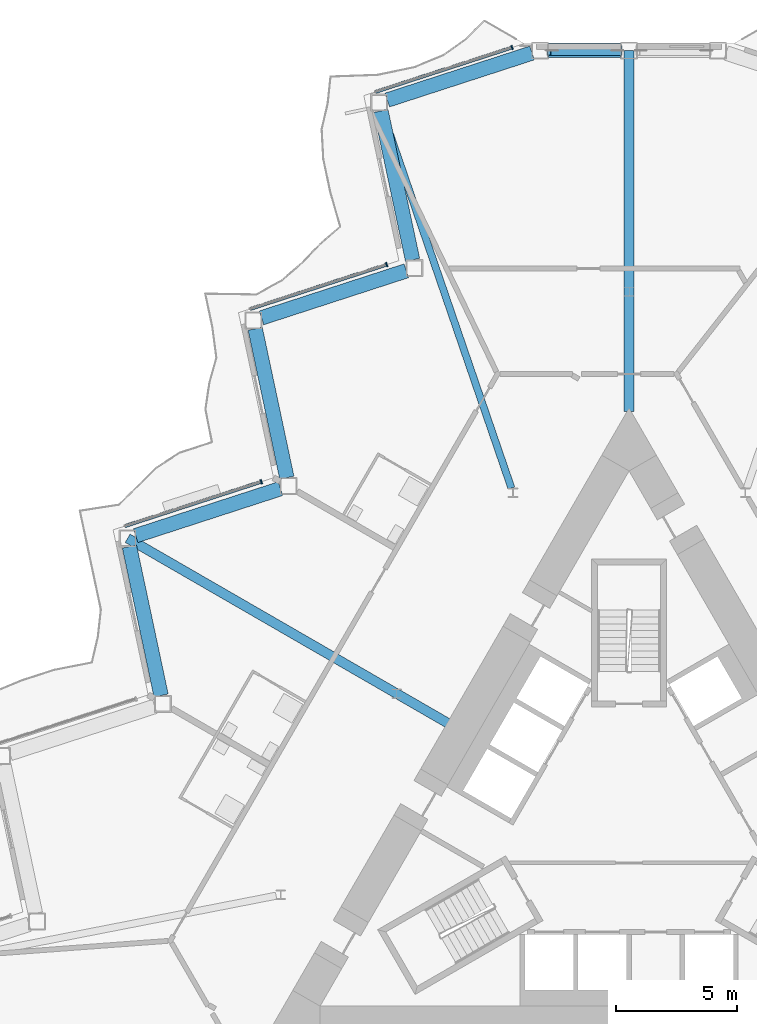
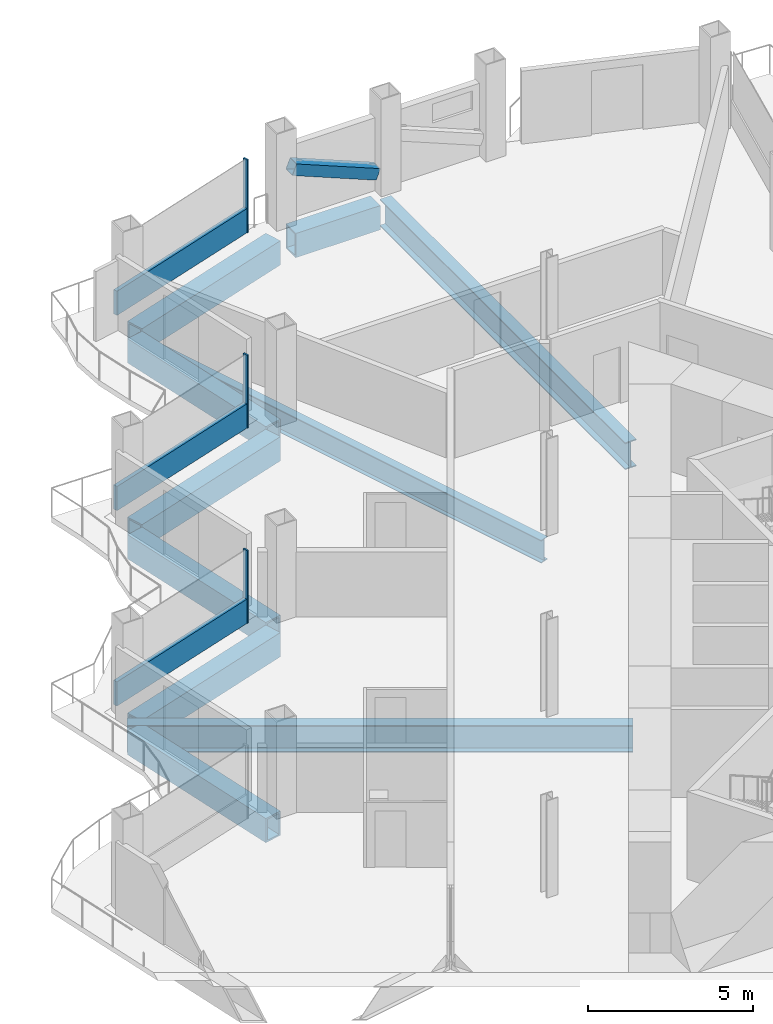
# One storey, part 8 of 24: 9 members, 8 beams, 3 elements without a shape of their own.
"""IFC4 building model written with IfcOpenShell, lengths in metres."""

import ifcopenshell
import ifcopenshell.guid

model = None  # the IFC model being written
_history = None  # IfcOwnerHistory: only IFC2X3 demands one
_inside = {}  # id of a spatial element -> (the spatial element, [elements in it])
_under = {}  # id of a project, library or spatial element -> (it, [spatial elements below it])
_declared = {}  # id of a project -> (the project, [libraries it declares])
_typed = {}  # id of a type object -> (the type object, [elements of that type])
_made_of = {}  # id of a material, layer set ... -> (it, [elements and type objects made of it])


def new_model(schema):
    """Start an empty IFC model of exactly this schema.

    Asked for "IFC4X3", IfcOpenShell would pick the latest addendum, in which some entities
    have other attributes; the version numbers below select the first issue.
    IFC2X3 requires an IfcOwnerHistory on every rooted entity: one is made here for all.
    """
    global model, _history
    if schema == "IFC4X3":
        model = ifcopenshell.file(schema_version=(4, 3, 0, 0))
    else:
        model = ifcopenshell.file(schema=schema)
    _inside.clear()
    _under.clear()
    _declared.clear()
    _typed.clear()
    _made_of.clear()
    _history = None
    if model.schema == "IFC2X3":
        org = make("IfcOrganization", Name="unknown")
        user = make(
            "IfcPersonAndOrganization",
            ThePerson=make("IfcPerson", FamilyName="unknown"),
            TheOrganization=org,
        )
        app = make(
            "IfcApplication",
            ApplicationDeveloper=org,
            Version="unknown",
            ApplicationFullName="unknown",
            ApplicationIdentifier="unknown",
        )
        _history = make(
            "IfcOwnerHistory",
            OwningUser=user,
            OwningApplication=app,
            ChangeAction="ADDED",
            CreationDate=0,
        )
    return model


def make(cls, **values):
    """One entity of the class cls with the attributes given. An attribute that is None is left unset."""
    return model.create_entity(
        cls, **{name: value for name, value in values.items() if value is not None}
    )


def rooted(cls, **values):
    """An entity with a GlobalId (a new one), such as an element, a storey or a relation."""
    return make(cls, GlobalId=ifcopenshell.guid.new(), OwnerHistory=_history, **values)


def si_unit(unit_type, name, prefix=None):
    """IfcSIUnit, for example si_unit("LENGTHUNIT", "METRE", prefix="MILLI")."""
    return make("IfcSIUnit", UnitType=unit_type, Prefix=prefix, Name=name)


def assignment(units):
    """IfcUnitAssignment: the units of a project."""
    return None if units is None else make("IfcUnitAssignment", Units=units)


def point(xyz):
    """IfcCartesianPoint."""
    return None if xyz is None else make("IfcCartesianPoint", Coordinates=xyz)


def direction(xyz):
    """IfcDirection."""
    return None if xyz is None else make("IfcDirection", DirectionRatios=xyz)


def frame(location, z_axis=None, x_axis=None):
    """IfcAxis2Placement3D, a coordinate frame: its origin and axes. An axis left out is left unset."""
    return make(
        "IfcAxis2Placement3D",
        Location=point(location),
        Axis=direction(z_axis),
        RefDirection=direction(x_axis),
    )


def frame_2d(location, x_axis=None):
    """IfcAxis2Placement2D, a coordinate frame in the plane: its origin and x axis."""
    return make(
        "IfcAxis2Placement2D", Location=point(location), RefDirection=direction(x_axis)
    )


def origin():
    """The frame at (0, 0, 0) with its axes left unset."""
    return frame((0.0, 0.0, 0.0))


def origin_2d():
    """The frame at (0, 0) in the plane with its x axis left unset."""
    return frame_2d((0.0, 0.0))


def place(relative_to, where):
    """IfcLocalPlacement: puts the frame where relative to a parent placement (None: the world)."""
    return make(
        "IfcLocalPlacement", PlacementRelTo=relative_to, RelativePlacement=where
    )


def context(
    kind, dimensions, precision=None, world=None, true_north=None, identifier=None
):
    """IfcGeometricRepresentationContext, for example the 3D "Model" context."""
    return make(
        "IfcGeometricRepresentationContext",
        ContextIdentifier=identifier,
        ContextType=kind,
        CoordinateSpaceDimension=dimensions,
        Precision=precision,
        WorldCoordinateSystem=world,
        TrueNorth=true_north,
    )


def subcontext(parent, identifier, kind, view, scale=None):
    """IfcGeometricRepresentationSubContext, for example "Body" below "Model"."""
    return make(
        "IfcGeometricRepresentationSubContext",
        ContextIdentifier=identifier,
        ContextType=kind,
        ParentContext=parent,
        TargetScale=scale,
        TargetView=view,
    )


def project(units=None, contexts=None):
    """IfcProject with its units and contexts."""
    return rooted(
        "IfcProject",
        Name="project",
        RepresentationContexts=contexts,
        UnitsInContext=assignment(units),
    )


def spatial(cls, under=None, at=None, **own):
    """A site, building, storey or space (cls), placed at a placement, below another one or the project."""
    s = rooted(cls, ObjectPlacement=at, **own)
    if under is not None:
        _under.setdefault(under.id(), (under, []))[1].append(s)
    return s


def profile(cls, at=None, kind="AREA", **sizes):
    """A parametric profile (cls). Its sizes go by their IFC names, for example OverallWidth=200.0."""
    return make(cls, ProfileType=kind, Position=at, **sizes)


def rectangle(**sizes):
    """IfcRectangleProfileDef."""
    return profile("IfcRectangleProfileDef", **sizes)


def hollow_rectangle(**sizes):
    """IfcRectangleHollowProfileDef."""
    return profile("IfcRectangleHollowProfileDef", **sizes)


def i_section(**sizes):
    """IfcIShapeProfileDef."""
    return profile("IfcIShapeProfileDef", **sizes)


def extrude(swept, where, along, depth):
    """IfcExtrudedAreaSolid: the profile swept, set in the frame where, extruded along a direction by depth."""
    return make(
        "IfcExtrudedAreaSolid",
        SweptArea=swept,
        Position=where,
        ExtrudedDirection=direction(along),
        Depth=depth,
    )


def shape(context_of_items, identifier, shape_type, items):
    """IfcShapeRepresentation: the items that make up one representation, for example the "Body"."""
    return make(
        "IfcShapeRepresentation",
        ContextOfItems=context_of_items,
        RepresentationIdentifier=identifier,
        RepresentationType=shape_type,
        Items=items,
    )


def material(Name=None, Category=None):
    """IfcMaterial."""
    return make("IfcMaterial", Name=Name, Category=Category)


def layer(
    of_material, thickness, ventilated=None, Name=None, Category=None, Priority=None
):
    """IfcMaterialLayer: one layer of a wall or slab, of a material (None: an air gap)."""
    return make(
        "IfcMaterialLayer",
        Material=of_material,
        LayerThickness=thickness,
        IsVentilated=ventilated,
        Name=Name,
        Category=Category,
        Priority=Priority,
    )


def layer_set(layers, Name=None):
    """IfcMaterialLayerSet."""
    return make("IfcMaterialLayerSet", MaterialLayers=layers, LayerSetName=Name)


def material_profile(
    of_material, cross_section, Name=None, Category=None, Priority=None
):
    """IfcMaterialProfile: a cross section and its material."""
    return make(
        "IfcMaterialProfile",
        Name=Name,
        Material=of_material,
        Profile=cross_section,
        Priority=Priority,
        Category=Category,
    )


def profile_set(profiles, Name=None, composite=None):
    """IfcMaterialProfileSet."""
    return make(
        "IfcMaterialProfileSet",
        Name=Name,
        MaterialProfiles=profiles,
        CompositeProfile=composite,
    )


def made_of(thing, what):
    """Note that an element or type object is made of a material, layer set ...; save() writes the relation."""
    if what is not None:
        _made_of.setdefault(what.id(), (what, []))[1].append(thing)
    return thing


def type_object(cls, material=None, **own):
    """A type object (cls), such as IfcWallType, which elements share."""
    return made_of(rooted(cls, **own), material)


def element(
    cls,
    number,
    at=None,
    inside=None,
    cuts=None,
    type_object=None,
    material=None,
    context=None,
    identifier="Body",
    shape_type=None,
    held_by="IfcProductDefinitionShape",
    body=None,
    shapes=None,
    **own,
):
    """One element of the class cls, such as IfcWall. Its Tag is "e" and its number.

    at: its placement. inside: the storey or other place that contains it. cuts: it is an
    opening in that element (IfcRelVoidsElement). A single representation is given by context,
    identifier, shape_type and body (its items); several are given by shapes. held_by: the class
    of the entity that holds the representations. save() writes the other relations.
    """
    e = rooted(cls, Tag="e%d" % number, ObjectPlacement=at, **own)
    if body is not None:
        shapes = [shape(context, identifier, shape_type, body)]
    if shapes is not None:
        e.Representation = make(held_by, Representations=shapes)
    if inside is not None:
        _inside.setdefault(inside.id(), (inside, []))[1].append(e)
    if cuts is not None:
        rooted(
            "IfcRelVoidsElement", RelatingBuildingElement=cuts, RelatedOpeningElement=e
        )
    if type_object is not None:
        _typed.setdefault(type_object.id(), (type_object, []))[1].append(e)
    return made_of(e, material)


def aggregate(whole, parts):
    """IfcRelAggregates: a whole, such as a stair, and the parts it consists of."""
    return rooted("IfcRelAggregates", RelatingObject=whole, RelatedObjects=parts)


def save(model, path):
    """Write the relations noted so far, then the file.

    IfcRelAggregates (storeys below a building ...), IfcRelContainedInSpatialStructure (elements
    in a storey), IfcRelDefinesByType, IfcRelAssociatesMaterial and IfcRelDeclares: one each for
    every whole, place, type object, material and project.
    """
    for whole, parts in _under.values():
        aggregate(whole, parts)
    for where, things in _inside.values():
        rooted(
            "IfcRelContainedInSpatialStructure",
            RelatedElements=things,
            RelatingStructure=where,
        )
    for kind, things in _typed.values():
        rooted("IfcRelDefinesByType", RelatedObjects=things, RelatingType=kind)
    for what, things in _made_of.values():
        rooted("IfcRelAssociatesMaterial", RelatedObjects=things, RelatingMaterial=what)
    for by, libraries in _declared.values():
        rooted("IfcRelDeclares", RelatingContext=by, RelatedDefinitions=libraries)
    model.write(path)


model = new_model("IFC4")

# Units and contexts
model_context = context("Model", 3, precision=1e-05, world=origin(), true_north=direction((0.0, 1.0)))
body_context = subcontext(model_context, "Body", "Model", "MODEL_VIEW")
ifc_project = project(units=[si_unit("LENGTHUNIT", "METRE"), si_unit("AREAUNIT", "SQUARE_METRE"), si_unit("VOLUMEUNIT", "CUBIC_METRE"), si_unit("PLANEANGLEUNIT", "RADIAN"), si_unit("MASSUNIT", "GRAM", prefix="KILO")], contexts=[model_context])

# Site, building, storey
site_placement = place(None, origin())
site = spatial("IfcSite", under=ifc_project, at=site_placement, CompositionType="ELEMENT")
building_placement = place(site_placement, origin())
building = spatial("IfcBuilding", under=site, at=building_placement, Name="Cormorant Prow Tower", CompositionType="ELEMENT")
storey_placement = place(building_placement, frame((0.0, 0.0, 231.0)))
storey = spatial("IfcBuildingStorey", under=building, at=storey_placement, Name="L50", CompositionType="ELEMENT", Elevation=231.0)

# Beams
ifc_material_1 = material(Name="Structural steel ASTM A572 Gr 50", Category="steel")
ifc_material_profile_1 = material_profile(ifc_material_1, hollow_rectangle(XDim=0.60009765625, YDim=0.89990234375, WallThickness=0.06005859375, at=origin_2d()), Name="Box 900x600x60")
ifc_profile_set_1 = profile_set([ifc_material_profile_1], Name="Structural steel ASTM A572 Gr 50")
beam_type_1 = type_object("IfcBeamType", Name="Belt truss top chord 900x600x60", PredefinedType="BEAM", material=ifc_profile_set_1)
beam_1_placement = place(storey_placement, frame((-0.35009765625, 32.073486328125, -0.800048828125), z_axis=(-1.0, 0.0, 0.0), x_axis=(0.0, -1.0, 0.0)))
element("IfcBeam", 1, at=beam_1_placement, inside=storey, type_object=beam_type_1, Name="Belt truss top chord TC2 N01-WNW00 L50", PredefinedType="BEAM", context=body_context, shape_type="SweptSolid", body=[
    extrude(hollow_rectangle(XDim=0.60009765625, YDim=0.89990234375, WallThickness=0.06005859375, at=origin_2d()), origin(), (0.0, 0.0, 1.0), 2.97021484375),
])
for number, where, z_axis, x_axis, name in (
    (2, (-4.003173828125, 31.96533203125, -0.800048828125), (-0.951054060056, -0.309024553801, 0.0), (0.309024553801, -0.951054060056, 0.0), "Belt truss top chord TC2 WNW00-WNW01 L50"),
    (3, (-10.2373046875, 29.57373046875, -0.800048828125), (0.207896407679, -0.97815084914, 0.0), (0.97815084914, 0.207896407679, 0.0), "Belt truss top chord TC2 WNW01-WNW02 L50"),
):
    element("IfcBeam", number, at=place(storey_placement, frame(where, z_axis=z_axis, x_axis=x_axis)), inside=storey, type_object=beam_type_1, Name=name, PredefinedType="BEAM", context=body_context, shape_type="SweptSolid", body=[
        extrude(hollow_rectangle(XDim=0.60009765625, YDim=0.89990234375, WallThickness=0.06005859375, at=origin_2d()), origin(), (0.0, 0.0, 1.0), 6.281494140625),
    ])
beam_2_placement = place(storey_placement, frame((-9.191650390625, 22.97900390625, -0.800048828125), z_axis=(-0.951050348284, -0.309035976918, 0.0), x_axis=(0.309035976918, -0.951050348284, 0.0)))
element("IfcBeam", 4, at=beam_2_placement, inside=storey, type_object=beam_type_1, Name="Belt truss top chord TC2 WNW02-WNW03 L50", PredefinedType="BEAM", context=body_context, shape_type="SweptSolid", body=[
    extrude(hollow_rectangle(XDim=0.60009765625, YDim=0.89990234375, WallThickness=0.06005859375, at=origin_2d()), origin(), (0.0, 0.0, 1.0), 6.28125),
])
beam_3_placement = place(storey_placement, frame((-15.42578125, 20.58740234375, -0.800048828125), z_axis=(0.207933593793, -0.978142944856, 0.0), x_axis=(0.978142944856, 0.207933593793, 0.0)))
element("IfcBeam", 5, at=beam_3_placement, inside=storey, type_object=beam_type_1, Name="Belt truss top chord TC2 WNW03-WNW04 L50", PredefinedType="BEAM", context=body_context, shape_type="SweptSolid", body=[
    extrude(hollow_rectangle(XDim=0.60009765625, YDim=0.89990234375, WallThickness=0.06005859375, at=origin_2d()), origin(), (0.0, 0.0, 1.0), 6.281494140625),
])
beam_4_placement = place(storey_placement, frame((-14.3798828125, 13.99267578125, -0.800048828125), z_axis=(-0.951050348284, -0.309035976918, 0.0), x_axis=(0.309035976918, -0.951050348284, 0.0)))
element("IfcBeam", 6, at=beam_4_placement, inside=storey, type_object=beam_type_1, Name="Belt truss top chord TC2 WNW04-WNW05 L50", PredefinedType="BEAM", context=body_context, shape_type="SweptSolid", body=[
    extrude(hollow_rectangle(XDim=0.60009765625, YDim=0.89990234375, WallThickness=0.06005859375, at=origin_2d()), origin(), (0.0, 0.0, 1.0), 6.28125),
])
beam_5_placement = place(storey_placement, frame((-20.614013671875, 11.60107421875, -0.800048828125), z_axis=(0.207933593793, -0.978142944856, 0.0), x_axis=(0.978142944856, 0.207933593793, 0.0)))
element("IfcBeam", 7, at=beam_5_placement, inside=storey, type_object=beam_type_1, Name="Belt truss top chord TC2 WNW05-WNW06 L50", PredefinedType="BEAM", context=body_context, shape_type="SweptSolid", body=[
    extrude(hollow_rectangle(XDim=0.60009765625, YDim=0.89990234375, WallThickness=0.06005859375, at=origin_2d()), origin(), (0.0, 0.0, 1.0), 6.281494140625),
])

# Member
ifc_material_2 = material(Name="Structural steel ASTM A500 Gr C", Category="steel")
ifc_material_profile_2 = material_profile(ifc_material_2, hollow_rectangle(XDim=0.406494140625, YDim=0.406494140625, WallThickness=0.01171875, at=origin_2d()), Name="HSS16x16x1/2")
ifc_profile_set_2 = profile_set([ifc_material_profile_2], Name="Structural steel ASTM A500 Gr C")
member_type_1 = type_object("IfcMemberType", Name="Chamfer brace HSS16x16x1/2", PredefinedType="BRACE", material=ifc_profile_set_2)
member_1_placement = place(storey_placement, frame((-0.36572265625, 32.073486328125, 0.74951171875), z_axis=(-0.925591042089, 0.0, 0.37852506232), x_axis=(0.0, -1.0, 0.0)))
element("IfcMember", 8, at=member_1_placement, inside=storey, type_object=member_type_1, Name="Chamfer brace BR2 at N01 L50", PredefinedType="BRACE", context=body_context, shape_type="SweptSolid", body=[
    extrude(hollow_rectangle(XDim=0.406494140625, YDim=0.406494140625, WallThickness=0.01171875, at=origin_2d()), origin(), (0.0, 0.0, 1.0), 3.17529296875),
])

# Curtain wall, member
ifc_material_3 = material(Name="Aluminium 6063-T6", Category="aluminium")
ifc_layer = layer(ifc_material_3, 0.179931640625)
ifc_layer_set = layer_set([ifc_layer], Name="Aluminium 6063-T6")
curtain_wall_type = type_object("IfcCurtainWallType", Name="Hotel unitised curtain wall 180", PredefinedType="NOTDEFINED", material=ifc_layer_set)
curtain_wall_1_placement = place(storey_placement, origin())
curtain_wall_1 = element("IfcCurtainWall", 9, at=curtain_wall_1_placement, inside=storey, type_object=curtain_wall_type, Name="Hotel curtain wall WNW00", PredefinedType="NOTDEFINED")
ifc_material_4 = material(Name="Aluminium 6063-T6", Category="aluminium")
ifc_material_profile_3 = material_profile(ifc_material_4, rectangle(XDim=0.179931640625, YDim=0.06005859375, at=origin_2d()), Name="Hotel mullion 60x180")
ifc_profile_set_3 = profile_set([ifc_material_profile_3], Name="Aluminium 6063-T6")
member_type_2 = type_object("IfcMemberType", Name="Hotel mullion 60x180", PredefinedType="MULLION", material=ifc_profile_set_3)
member_2_placement = place(storey_placement, frame((-4.828857421875, 32.1923828125, 0.0), z_axis=(0.0, 0.0, 1.0), x_axis=(0.309016951383, -0.951056530264, 0.0)))
member_2 = element("IfcMember", 10, at=member_2_placement, type_object=member_type_2, Name="Hotel mullion WNW00", PredefinedType="MULLION", context=body_context, shape_type="SweptSolid", body=[
    extrude(rectangle(XDim=0.179931640625, YDim=0.06005859375, at=origin_2d()), origin(), (0.0, 0.0, 1.0), 2.700927734375),
])

curtain_wall_2_placement = place(storey_placement, origin())
curtain_wall_2 = element("IfcCurtainWall", 11, at=curtain_wall_2_placement, inside=storey, type_object=curtain_wall_type, Name="Hotel curtain wall WNW02", PredefinedType="NOTDEFINED")
member_3_placement = place(storey_placement, frame((-10.0009765625, 23.234375, 0.0), z_axis=(0.0, 0.0, 1.0), x_axis=(0.309017039126, -0.951056501755, 0.0)))
member_3 = element("IfcMember", 12, at=member_3_placement, type_object=member_type_2, Name="Hotel mullion WNW02", PredefinedType="MULLION", context=body_context, shape_type="SweptSolid", body=[
    extrude(rectangle(XDim=0.179931640625, YDim=0.06005859375, at=origin_2d()), origin(), (0.0, 0.0, 1.0), 2.700927734375),
])

curtain_wall_3_placement = place(storey_placement, origin())
curtain_wall_3 = element("IfcCurtainWall", 13, at=curtain_wall_3_placement, inside=storey, type_object=curtain_wall_type, Name="Hotel curtain wall WNW04", PredefinedType="NOTDEFINED")
member_4_placement = place(storey_placement, frame((-15.1728515625, 14.2763671875, 0.0), z_axis=(0.0, 0.0, 1.0), x_axis=(0.309017039126, -0.951056501755, 0.0)))
member_4 = element("IfcMember", 14, at=member_4_placement, type_object=member_type_2, Name="Hotel mullion WNW04", PredefinedType="MULLION", context=body_context, shape_type="SweptSolid", body=[
    extrude(rectangle(XDim=0.179931640625, YDim=0.06005859375, at=origin_2d()), origin(), (0.0, 0.0, 1.0), 2.700927734375),
])

# Member
ifc_material_5 = material(Name="Terracotta", Category="masonry")
ifc_material_profile_4 = material_profile(ifc_material_5, rectangle(XDim=0.139892578125, YDim=0.89990234375, at=origin_2d()), Name="Hotel terracotta spandrel rail 140x900")
ifc_profile_set_4 = profile_set([ifc_material_profile_4], Name="Terracotta")
member_type_3 = type_object("IfcMemberType", Name="Hotel terracotta spandrel rail 140x900", PredefinedType="USERDEFINED", material=ifc_profile_set_4)
member_5_placement = place(storey_placement, frame((-4.857421875, 32.18310546875, 0.449951171875), z_axis=(-0.951052928419, -0.309028036504, 0.0), x_axis=(0.309028036504, -0.951052928419, 0.0)))
member_5 = element("IfcMember", 15, at=member_5_placement, type_object=member_type_3, Name="Hotel spandrel rail WNW00", ObjectType="TRANSOM", PredefinedType="USERDEFINED", context=body_context, shape_type="SweptSolid", body=[
    extrude(rectangle(XDim=0.139892578125, YDim=0.89990234375, at=origin_2d()), origin(), (0.0, 0.0, 1.0), 5.8974609375),
])

aggregate(curtain_wall_1, [member_2, member_5])

member_6_placement = place(storey_placement, frame((-10.029296875, 23.22509765625, 0.449951171875), z_axis=(-0.951052928419, -0.309028036504, 0.0), x_axis=(0.309028036504, -0.951052928419, 0.0)))
member_6 = element("IfcMember", 16, at=member_6_placement, type_object=member_type_3, Name="Hotel spandrel rail WNW02", ObjectType="TRANSOM", PredefinedType="USERDEFINED", context=body_context, shape_type="SweptSolid", body=[
    extrude(rectangle(XDim=0.139892578125, YDim=0.89990234375, at=origin_2d()), origin(), (0.0, 0.0, 1.0), 5.8974609375),
])

aggregate(curtain_wall_2, [member_3, member_6])

member_7_placement = place(storey_placement, frame((-15.201171875, 14.26708984375, 0.449951171875), z_axis=(-0.951052928419, -0.309028036504, 0.0), x_axis=(0.309028036504, -0.951052928419, 0.0)))
member_7 = element("IfcMember", 17, at=member_7_placement, type_object=member_type_3, Name="Hotel spandrel rail WNW04", ObjectType="TRANSOM", PredefinedType="USERDEFINED", context=body_context, shape_type="SweptSolid", body=[
    extrude(rectangle(XDim=0.139892578125, YDim=0.89990234375, at=origin_2d()), origin(), (0.0, 0.0, 1.0), 5.8974609375),
])

aggregate(curtain_wall_3, [member_4, member_7])

# Members
ifc_material_6 = material(Name="Structural steel ASTM A992 Gr 50", Category="steel")
ifc_material_profile_5 = material_profile(ifc_material_6, i_section(OverallWidth=0.39990234375, OverallDepth=1.000244140625, WebThickness=0.01904296875, FlangeThickness=0.0361328125, at=origin_2d()), Name="W40x249")
ifc_profile_set_5 = profile_set([ifc_material_profile_5], Name="Structural steel ASTM A992 Gr 50")
member_type_4 = type_object("IfcMemberType", Name="Outrigger chord W40x249", PredefinedType="CHORD", material=ifc_profile_set_5)
member_8_placement = place(storey_placement, frame((0.0, 17.17041015625, -0.85009765625), z_axis=(0.0, 1.0, 0.0), x_axis=(-1.0, 0.0, 0.0)))
element("IfcMember", 18, at=member_8_placement, inside=storey, type_object=member_type_4, Name="Outrigger top chord 1 L50", PredefinedType="CHORD", context=body_context, shape_type="SweptSolid", body=[
    extrude(i_section(OverallWidth=0.39990234375, OverallDepth=1.000244140625, WebThickness=0.01904296875, FlangeThickness=0.0361328125, at=origin_2d()), origin(), (0.0, 0.0, 1.0), 14.903076171875),
])
member_9_placement = place(storey_placement, frame((-7.3701171875, 4.255126953125, -0.85009765625), z_axis=(-0.866029325535, 0.499993207268, 0.0), x_axis=(-0.499993207268, -0.866029325535, 0.0)))
element("IfcMember", 19, at=member_9_placement, inside=storey, type_object=member_type_4, Name="Outrigger top chord 2 L50", PredefinedType="CHORD", context=body_context, shape_type="SweptSolid", body=[
    extrude(i_section(OverallWidth=0.39990234375, OverallDepth=1.000244140625, WebThickness=0.01904296875, FlangeThickness=0.0361328125, at=origin_2d()), origin(), (0.0, 0.0, 1.0), 15.376708984375),
])

# Beam
ifc_material_7 = material(Name="Structural steel ASTM A992 Gr 50", Category="steel")
ifc_material_profile_6 = material_profile(ifc_material_7, i_section(OverallWidth=0.29296875, OverallDepth=0.845703125, WebThickness=0.015380859375, FlangeThickness=0.0244140625, at=origin_2d()), Name="W33x141")
ifc_profile_set_6 = profile_set([ifc_material_profile_6], Name="Structural steel ASTM A992 Gr 50")
beam_type_2 = type_object("IfcBeamType", Name="Radial floor beam W33x141", PredefinedType="BEAM", material=ifc_profile_set_6)
beam_6_placement = place(storey_placement, frame((-4.85400390625, 14.013916015625, -0.77294921875), z_axis=(-0.324535507117, 0.945873514071, 0.0), x_axis=(-0.945873514071, -0.324535507117, 0.0)))
element("IfcBeam", 20, at=beam_6_placement, inside=storey, type_object=beam_type_2, Name="Radial floor beam FB2 2 L50", PredefinedType="BEAM", context=body_context, shape_type="SweptSolid", body=[
    extrude(i_section(OverallWidth=0.29296875, OverallDepth=0.845703125, WebThickness=0.015380859375, FlangeThickness=0.0244140625, at=origin_2d()), origin(), (0.0, 0.0, 1.0), 16.462158203125),
])

save(model, "model.ifc")
